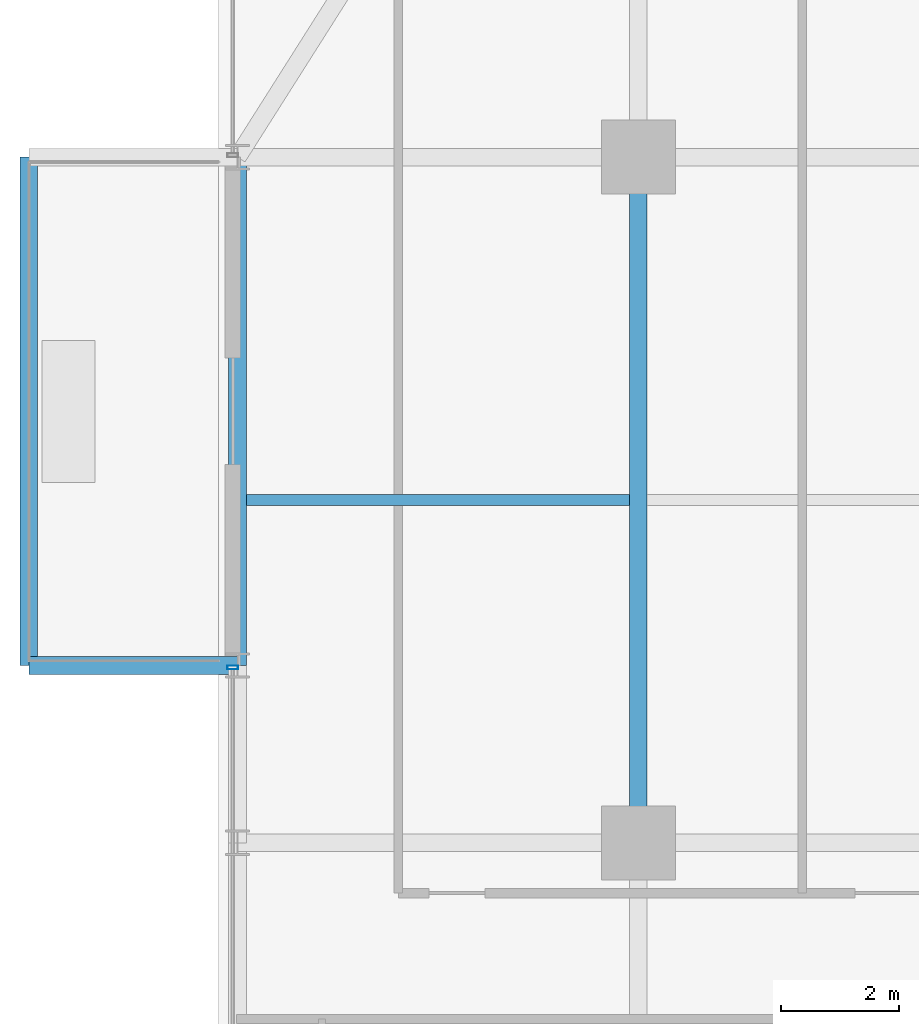
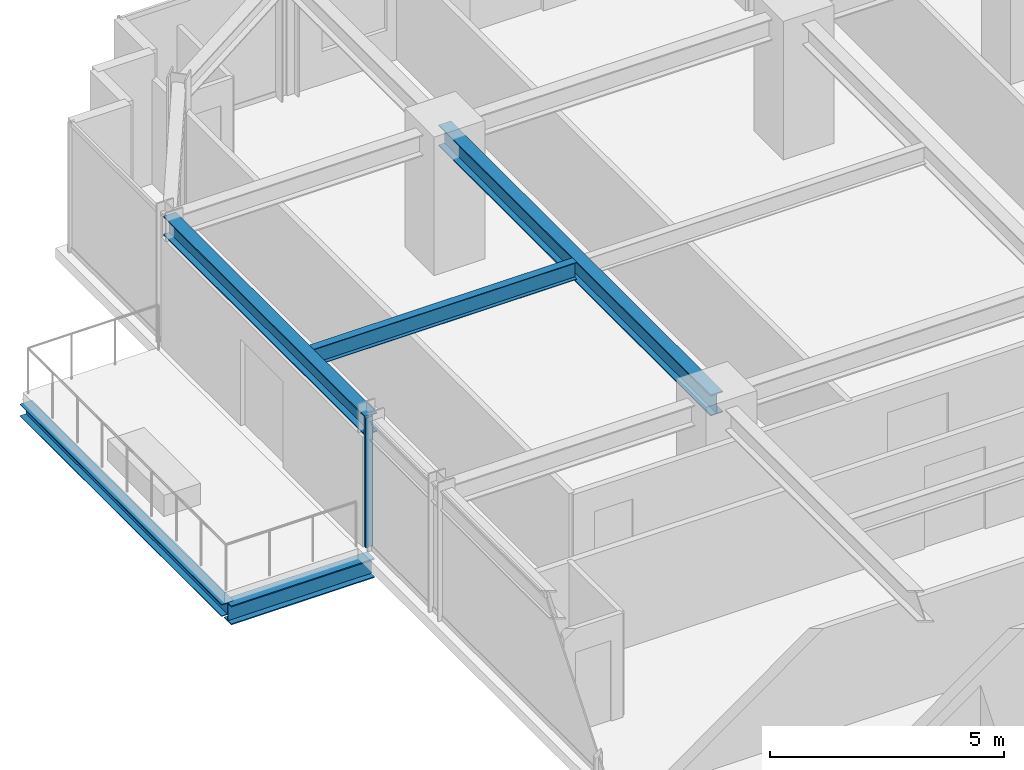
# One storey, part 16 of 35: 5 beams, 1 member, 1 element without a shape of its own.
"""IFC4 building model written with IfcOpenShell, lengths in metres."""

from ifc_helpers import new_model, si_unit, direction, frame, origin, origin_2d, place, context, subcontext, project, spatial, hollow_rectangle, i_section, extrude, source, transform, mapped, material, material_profile, profile_set, type_object, element, aggregate, save


model = new_model("IFC4")

# Units and contexts
model_context = context("Model", 3, precision=1e-05, world=origin(), true_north=direction((0.0, 1.0)))
body_context = subcontext(model_context, "Body", "Model", "MODEL_VIEW")
ifc_project = project(units=[si_unit("LENGTHUNIT", "METRE"), si_unit("AREAUNIT", "SQUARE_METRE"), si_unit("VOLUMEUNIT", "CUBIC_METRE"), si_unit("PLANEANGLEUNIT", "RADIAN"), si_unit("MASSUNIT", "GRAM", prefix="KILO")], contexts=[model_context])

# Site, building, storey
site_placement = place(None, origin())
site = spatial("IfcSite", under=ifc_project, at=site_placement, CompositionType="ELEMENT")
building_placement = place(site_placement, origin())
building = spatial("IfcBuilding", under=site, at=building_placement, Name="Nahalor Promenade Grand Hotel", CompositionType="ELEMENT")
storey_placement = place(building_placement, frame((0.0, 0.0, 106.550048828125)))
storey = spatial("IfcBuildingStorey", under=building, at=storey_placement, Name="L26", CompositionType="ELEMENT", Elevation=106.550048828125)

# Beams
ifc_material_1 = material(Name="Steel S355JR", Category="steel")
ifc_material_profile_1 = material_profile(ifc_material_1, i_section(OverallWidth=0.3, OverallDepth=0.32, WebThickness=0.0115, FlangeThickness=0.0205, at=origin_2d()), Name="HEB 320")
ifc_profile_set_1 = profile_set([ifc_material_profile_1], Name="Steel S355JR")
beam_type_1 = type_object("IfcBeamType", Name="Beam-BalcEdge-HEB320", PredefinedType="SPANDREL", material=ifc_profile_set_1)
shared_shape_1 = source(origin(), body_context, "Body", "SweptSolid", [
    extrude(i_section(OverallWidth=0.3, OverallDepth=0.32, WebThickness=0.0115, FlangeThickness=0.0205, at=origin_2d()), origin(), (0.0, 0.0, 1.0), 8.60009765625),
])
beam_1_placement = place(storey_placement, frame((-27.31005859375, 8.39990234375, -0.43994140625), z_axis=(0.0, 1.0, 0.0), x_axis=(-1.0, 0.0, 0.0)))
element("IfcBeam", 1, at=beam_1_placement, inside=storey, type_object=beam_type_1, Name="BM-L26-BC-02-F", PredefinedType="SPANDREL", context=body_context, shape_type="MappedRepresentation", body=[
    mapped(shared_shape_1, transform((0.0, 0.0, 0.0), scale=1.0)),
])
ifc_material_profile_2 = material_profile(ifc_material_1, i_section(OverallWidth=0.3, OverallDepth=0.5, WebThickness=0.0145, FlangeThickness=0.028, at=origin_2d()), Name="HEB 500")
ifc_profile_set_2 = profile_set([ifc_material_profile_2], Name="Steel S355JR")
beam_type_2 = type_object("IfcBeamType", Name="Beam-Outrigger-HEB500", PredefinedType="BEAM", material=ifc_profile_set_2)
shared_shape_2 = source(origin(), body_context, "Body", "SweptSolid", [
    extrude(i_section(OverallWidth=0.3, OverallDepth=0.5, WebThickness=0.0145, FlangeThickness=0.028, at=origin_2d()), origin(), (0.0, 0.0, 1.0), 3.530029296875),
])
beam_2_placement = place(storey_placement, frame((-27.31005859375, 8.39990234375, -0.530029296875), z_axis=(1.0, 0.0, 0.0), x_axis=(0.0, 1.0, 0.0)))
element("IfcBeam", 2, at=beam_2_placement, inside=storey, type_object=beam_type_2, Name="BM-L26-BC-02-1", PredefinedType="BEAM", context=body_context, shape_type="MappedRepresentation", body=[
    mapped(shared_shape_2, transform((0.0, 0.0, 0.0), scale=1.0)),
])
ifc_material_profile_3 = material_profile(ifc_material_1, i_section(OverallWidth=0.3, OverallDepth=0.5, WebThickness=0.0145, FlangeThickness=0.028, at=origin_2d()), Name="HEB 500")
ifc_profile_set_3 = profile_set([ifc_material_profile_3], Name="Steel S355JR")
beam_type_3 = type_object("IfcBeamType", Name="Beam-Spandrel-HEB500", PredefinedType="SPANDREL", material=ifc_profile_set_3)
shared_shape_3 = source(origin(), body_context, "Body", "SweptSolid", [
    extrude(i_section(OverallWidth=0.3, OverallDepth=0.5, WebThickness=0.0145, FlangeThickness=0.028, at=origin_2d()), origin(), (0.0, 0.0, 1.0), 8.60009765625),
])
beam_3_placement = place(storey_placement, frame((-23.780029296875, 8.39990234375, 3.1298828125), z_axis=(0.0, 1.0, 0.0), x_axis=(-1.0, 0.0, 0.0)))
element("IfcBeam", 3, at=beam_3_placement, inside=storey, type_object=beam_type_3, Name="BM-L26-SP-W-4", PredefinedType="SPANDREL", context=body_context, shape_type="MappedRepresentation", body=[
    mapped(shared_shape_3, transform((0.0, 0.0, 0.0), scale=1.0)),
])
ifc_material_profile_4 = material_profile(ifc_material_1, i_section(OverallWidth=0.3, OverallDepth=0.55, WebThickness=0.015, FlangeThickness=0.029, at=origin_2d()), Name="HEB 550")
ifc_profile_set_4 = profile_set([ifc_material_profile_4], Name="Steel S355JR")
beam_type_4 = type_object("IfcBeamType", Name="Beam-Girder-HEB550", PredefinedType="BEAM", material=ifc_profile_set_4)
shared_shape_4 = source(origin(), body_context, "Body", "SweptSolid", [
    extrude(i_section(OverallWidth=0.3, OverallDepth=0.55, WebThickness=0.015, FlangeThickness=0.029, at=origin_2d()), origin(), (0.0, 0.0, 1.0), 11.60009765625),
])
beam_4_placement = place(storey_placement, frame((-17.0, 5.39990234375, 3.10498046875), z_axis=(0.0, 1.0, 0.0), x_axis=(-1.0, 0.0, 0.0)))
element("IfcBeam", 4, at=beam_4_placement, inside=storey, type_object=beam_type_4, Name="BM-L26-GY-0-3", PredefinedType="BEAM", context=body_context, shape_type="MappedRepresentation", body=[
    mapped(shared_shape_4, transform((0.0, 0.0, 0.0), scale=1.0)),
])
ifc_material_profile_5 = material_profile(ifc_material_1, i_section(OverallWidth=0.19, OverallDepth=0.45, WebThickness=0.0094, FlangeThickness=0.0146, at=origin_2d()), Name="IPE 450")
ifc_profile_set_5 = profile_set([ifc_material_profile_5], Name="Steel S355JR")
beam_type_5 = type_object("IfcBeamType", Name="Beam-Joist-IPE450", PredefinedType="JOIST", material=ifc_profile_set_5)
shared_shape_5 = source(origin(), body_context, "Body", "SweptSolid", [
    extrude(i_section(OverallWidth=0.19, OverallDepth=0.45, WebThickness=0.0094, FlangeThickness=0.0146, at=origin_2d()), origin(), (0.0, 0.0, 1.0), 6.47998046875),
])
beam_5_placement = place(storey_placement, frame((-23.6298828125, 11.199951171875, 3.155029296875), z_axis=(1.0, 0.0, 0.0), x_axis=(0.0, 1.0, 0.0)))
element("IfcBeam", 5, at=beam_5_placement, inside=storey, type_object=beam_type_5, Name="BM-L26-JSW-1-0", PredefinedType="JOIST", context=body_context, shape_type="MappedRepresentation", body=[
    mapped(shared_shape_5, transform((0.0, 0.0, 0.0), scale=1.0)),
])

# Curtain wall, member
ifc_material_2 = material(Name="Anodised Bronze Aluminium EN AW-6063 T6", Category="aluminium")
curtain_wall_type = type_object("IfcCurtainWallType", Name="CW2 Typical Hotel Flush Bronze Unitised Curtain Wall", PredefinedType="USERDEFINED", material=ifc_material_2)
curtain_wall_placement = place(storey_placement, origin())
curtain_wall = element("IfcCurtainWall", 6, at=curtain_wall_placement, inside=storey, type_object=curtain_wall_type, Name="L26 Curtain Wall CW-L26-W-1", ObjectType="UNITISED_CURTAIN_WALL", PredefinedType="USERDEFINED")
ifc_material_profile_6 = material_profile(ifc_material_2, hollow_rectangle(XDim=0.065, YDim=0.18, WallThickness=0.004, at=origin_2d()), Name="CWM 65x180x4")
ifc_profile_set_6 = profile_set([ifc_material_profile_6], Name="Anodised Bronze Aluminium EN AW-6063 T6")
member_type = type_object("IfcMemberType", Name="CWM2 Typical Bronze Mullion 65x180", PredefinedType="MULLION", material=ifc_profile_set_6)
shared_shape_6 = source(origin(), body_context, "Body", "SweptSolid", [
    extrude(hollow_rectangle(XDim=0.065, YDim=0.18, WallThickness=0.004, at=origin_2d()), origin(), (0.0, 0.0, 1.0), 3.3798828125),
])
member_placement = place(storey_placement, frame((-23.860107421875, 8.367431640625, 0.0), z_axis=(0.0, 0.0, 1.0), x_axis=(0.0, 1.0, 0.0)))
member = element("IfcMember", 7, at=member_placement, type_object=member_type, Name="CW-L26-W-1 Mullion 3", PredefinedType="MULLION", context=body_context, shape_type="MappedRepresentation", body=[
    mapped(shared_shape_6, transform((0.0, 0.0, 0.0), scale=1.0)),
])
aggregate(curtain_wall, [member])

save(model, "model.ifc")
